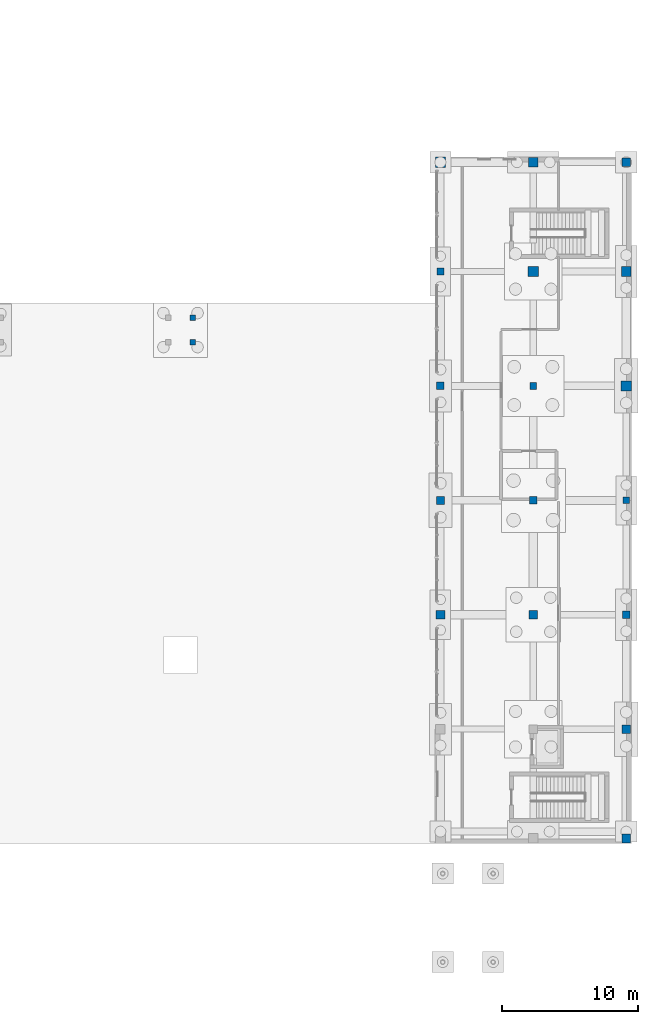
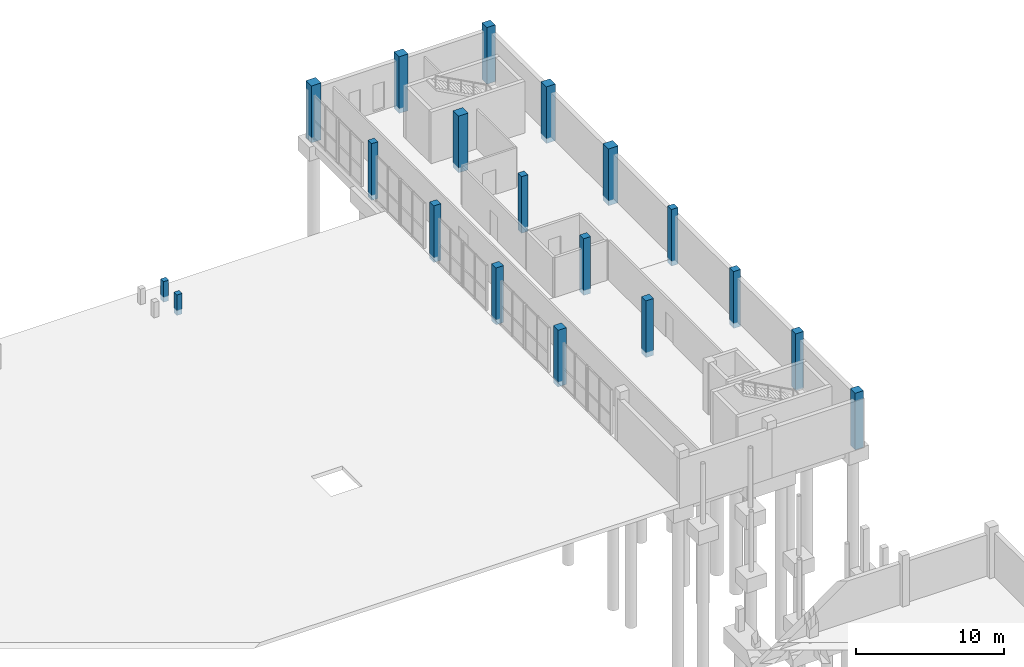
# One storey, part 16 of 41: 19 columns.
"""IFC4 building model written with IfcOpenShell, lengths in metres."""

from ifc_helpers import new_model, si_unit, direction, frame, origin, origin_2d, place, context, subcontext, project, spatial, rectangle, extrude, material, material_profile, profile_set, type_object, element, save


model = new_model("IFC4")

# Units and contexts
model_context = context("Model", 3, precision=1e-05, world=origin(), true_north=direction((0.0, 1.0)))
body_context = subcontext(model_context, "Body", "Model", "MODEL_VIEW")
ifc_project = project(units=[si_unit("LENGTHUNIT", "METRE"), si_unit("AREAUNIT", "SQUARE_METRE"), si_unit("VOLUMEUNIT", "CUBIC_METRE"), si_unit("PLANEANGLEUNIT", "RADIAN"), si_unit("MASSUNIT", "GRAM", prefix="KILO")], contexts=[model_context])

# Site, building, storey
site_placement = place(None, origin())
site = spatial("IfcSite", under=ifc_project, at=site_placement, CompositionType="ELEMENT")
building_placement = place(site_placement, origin())
building = spatial("IfcBuilding", under=site, at=building_placement, Name="Vardoun Plaza Health Centre", CompositionType="ELEMENT")
storey_placement = place(building_placement, frame((0.0, 0.0, -4.5)))
storey = spatial("IfcBuildingStorey", under=building, at=storey_placement, Name="B1", CompositionType="ELEMENT", Elevation=-4.5)

# Columns
ifc_material_1 = material(Name="Concrete C40/50", Category="concrete")
ifc_material_profile_1 = material_profile(ifc_material_1, rectangle(XDim=0.39990234375, YDim=0.39990234375, at=origin_2d()), Name="RC-COL 400x400")
ifc_profile_set_1 = profile_set([ifc_material_profile_1], Name="Concrete C40/50")
column_type_1 = type_object("IfcColumnType", Name="C-08", PredefinedType="COLUMN", material=ifc_profile_set_1)
for number, where, z_axis, x_axis, name in (
    (1, (133.10009765625, 73.10009765625, -0.419921875), (0.0, 0.0, 1.0), (1.0, 0.0, 0.0), "Ramp Landing Pier 3.3"),
    (2, (133.10009765625, 74.900146484375, -0.419921875), (0.0, 0.0, 1.0), (1.0, 0.0, 0.0), "Ramp Landing Pier 3.4"),
):
    element("IfcColumn", number, at=place(storey_placement, frame(where, z_axis=z_axis, x_axis=x_axis)), inside=storey, type_object=column_type_1, Name=name, PredefinedType="COLUMN", context=body_context, shape_type="SweptSolid", body=[
        extrude(rectangle(XDim=0.39990234375, YDim=0.39990234375, at=origin_2d()), origin(), (0.0, 0.0, 1.0), 1.68994140625),
    ])
ifc_material_2 = material(Name="Concrete C40/50", Category="concrete")
ifc_material_profile_2 = material_profile(ifc_material_2, rectangle(XDim=0.5, YDim=0.5, at=origin_2d()), Name="RC-COL 500x500")
ifc_profile_set_2 = profile_set([ifc_material_profile_2], Name="Concrete C40/50")
column_type_2 = type_object("IfcColumnType", Name="C-06", PredefinedType="COLUMN", material=ifc_profile_set_2)
for number, where, z_axis, x_axis, name in (
    (3, (151.280029296875, 78.300048828125, -0.419921875), (0.0, 0.0, 1.0), (1.0, 0.0, 0.0), "V6 B1 Column C-V6-06"),
    (4, (158.10009765625, 69.900146484375, -0.419921875), (0.0, 0.0, 1.0), (1.0, 0.0, 0.0), "V6 B1 Column C-V6-12"),
    (5, (164.919921875, 61.5, -0.419921875), (0.0, 0.0, 1.0), (1.0, 0.0, 0.0), "V6 B1 Column C-V6-18"),
):
    element("IfcColumn", number, at=place(storey_placement, frame(where, z_axis=z_axis, x_axis=x_axis)), inside=storey, type_object=column_type_2, Name=name, PredefinedType="COLUMN", context=body_context, shape_type="SweptSolid", body=[
        extrude(rectangle(XDim=0.5, YDim=0.5, at=origin_2d()), origin(), (0.0, 0.0, 1.0), 4.669921875),
    ])
ifc_material_3 = material(Name="Concrete C40/50", Category="concrete")
ifc_material_profile_3 = material_profile(ifc_material_3, rectangle(XDim=0.550048828125, YDim=0.550048828125, at=origin_2d()), Name="RC-COL 550x550")
ifc_profile_set_3 = profile_set([ifc_material_profile_3], Name="Concrete C40/50")
column_type_3 = type_object("IfcColumnType", Name="C-05", PredefinedType="COLUMN", material=ifc_profile_set_3)
for number, where, z_axis, x_axis, name in (
    (6, (151.280029296875, 69.900146484375, -0.419921875), (0.0, 0.0, 1.0), (1.0, 0.0, 0.0), "V6 B1 Column C-V6-05"),
    (7, (158.10009765625, 61.5, -0.419921875), (0.0, 0.0, 1.0), (1.0, 0.0, 0.0), "V6 B1 Column C-V6-11"),
    (8, (164.919921875, 53.10009765625, -0.419921875), (0.0, 0.0, 1.0), (1.0, 0.0, 0.0), "V6 B1 Column C-V6-17"),
):
    element("IfcColumn", number, at=place(storey_placement, frame(where, z_axis=z_axis, x_axis=x_axis)), inside=storey, type_object=column_type_3, Name=name, PredefinedType="COLUMN", context=body_context, shape_type="SweptSolid", body=[
        extrude(rectangle(XDim=0.550048828125, YDim=0.550048828125, at=origin_2d()), origin(), (0.0, 0.0, 1.0), 4.669921875),
    ])
ifc_material_4 = material(Name="Concrete C40/50", Category="concrete")
ifc_material_profile_4 = material_profile(ifc_material_4, rectangle(XDim=0.60009765625, YDim=0.60009765625, at=origin_2d()), Name="RC-COL 600x600")
ifc_profile_set_4 = profile_set([ifc_material_profile_4], Name="Concrete C40/50")
column_type_4 = type_object("IfcColumnType", Name="C-04", PredefinedType="COLUMN", material=ifc_profile_set_4)
for number, where, z_axis, x_axis, name in (
    (9, (151.280029296875, 61.5, -0.419921875), (0.0, 0.0, 1.0), (1.0, 0.0, 0.0), "V6 B1 Column C-V6-04"),
    (10, (158.10009765625, 53.10009765625, -0.419921875), (0.0, 0.0, 1.0), (1.0, 0.0, 0.0), "V6 B1 Column C-V6-10"),
    (11, (164.919921875, 44.699951171875, -0.419921875), (0.0, 0.0, 1.0), (1.0, 0.0, 0.0), "V6 B1 Column C-V6-16"),
):
    element("IfcColumn", number, at=place(storey_placement, frame(where, z_axis=z_axis, x_axis=x_axis)), inside=storey, type_object=column_type_4, Name=name, PredefinedType="COLUMN", context=body_context, shape_type="SweptSolid", body=[
        extrude(rectangle(XDim=0.60009765625, YDim=0.60009765625, at=origin_2d()), origin(), (0.0, 0.0, 1.0), 4.669921875),
    ])
ifc_material_5 = material(Name="Concrete C40/50", Category="concrete")
ifc_material_profile_5 = material_profile(ifc_material_5, rectangle(XDim=0.64990234375, YDim=0.64990234375, at=origin_2d()), Name="RC-COL 650x650")
ifc_profile_set_5 = profile_set([ifc_material_profile_5], Name="Concrete C40/50")
column_type_5 = type_object("IfcColumnType", Name="C-03", PredefinedType="COLUMN", material=ifc_profile_set_5)
for number, where, z_axis, x_axis, name in (
    (12, (151.280029296875, 53.10009765625, -0.419921875), (0.0, 0.0, 1.0), (1.0, 0.0, 0.0), "V6 B1 Column C-V6-03"),
    (13, (164.919921875, 36.679931640625, -0.419921875), (0.0, 0.0, 1.0), (1.0, 0.0, 0.0), "V6 B1 Column C-V6-15"),
    (14, (164.919921875, 86.320068359375, -0.419921875), (0.0, 0.0, 1.0), (1.0, 0.0, 0.0), "V6 B1 Column C-V6-21"),
):
    element("IfcColumn", number, at=place(storey_placement, frame(where, z_axis=z_axis, x_axis=x_axis)), inside=storey, type_object=column_type_5, Name=name, PredefinedType="COLUMN", context=body_context, shape_type="SweptSolid", body=[
        extrude(rectangle(XDim=0.64990234375, YDim=0.64990234375, at=origin_2d()), origin(), (0.0, 0.0, 1.0), 4.669921875),
    ])
ifc_material_6 = material(Name="Concrete C40/50", Category="concrete")
ifc_material_profile_6 = material_profile(ifc_material_6, rectangle(XDim=0.699951171875, YDim=0.699951171875, at=origin_2d()), Name="RC-COL 700x700")
ifc_profile_set_6 = profile_set([ifc_material_profile_6], Name="Concrete C40/50")
column_type_6 = type_object("IfcColumnType", Name="C-02", PredefinedType="COLUMN", material=ifc_profile_set_6)
for number, where, z_axis, x_axis, name in (
    (15, (158.10009765625, 86.320068359375, -0.419921875), (0.0, 0.0, 1.0), (1.0, 0.0, 0.0), "V6 B1 Column C-V6-14"),
    (16, (164.919921875, 78.300048828125, -0.419921875), (0.0, 0.0, 1.0), (1.0, 0.0, 0.0), "V6 B1 Column C-V6-20"),
):
    element("IfcColumn", number, at=place(storey_placement, frame(where, z_axis=z_axis, x_axis=x_axis)), inside=storey, type_object=column_type_6, Name=name, PredefinedType="COLUMN", context=body_context, shape_type="SweptSolid", body=[
        extrude(rectangle(XDim=0.699951171875, YDim=0.699951171875, at=origin_2d()), origin(), (0.0, 0.0, 1.0), 4.669921875),
    ])
ifc_material_7 = material(Name="Concrete C40/50", Category="concrete")
ifc_material_profile_7 = material_profile(ifc_material_7, rectangle(XDim=0.75, YDim=0.75, at=origin_2d()), Name="RC-COL 750x750")
ifc_profile_set_7 = profile_set([ifc_material_profile_7], Name="Concrete C40/50")
column_type_7 = type_object("IfcColumnType", Name="C-01", PredefinedType="COLUMN", material=ifc_profile_set_7)
for number, where, z_axis, x_axis, name in (
    (17, (151.280029296875, 86.320068359375, -0.419921875), (0.0, 0.0, 1.0), (1.0, 0.0, 0.0), "V6 B1 Column C-V6-07"),
    (18, (158.10009765625, 78.300048828125, -0.419921875), (0.0, 0.0, 1.0), (1.0, 0.0, 0.0), "V6 B1 Column C-V6-13"),
    (19, (164.919921875, 69.900146484375, -0.419921875), (0.0, 0.0, 1.0), (1.0, 0.0, 0.0), "V6 B1 Column C-V6-19"),
):
    element("IfcColumn", number, at=place(storey_placement, frame(where, z_axis=z_axis, x_axis=x_axis)), inside=storey, type_object=column_type_7, Name=name, PredefinedType="COLUMN", context=body_context, shape_type="SweptSolid", body=[
        extrude(rectangle(XDim=0.75, YDim=0.75, at=origin_2d()), origin(), (0.0, 0.0, 1.0), 4.669921875),
    ])

save(model, "model.ifc")
